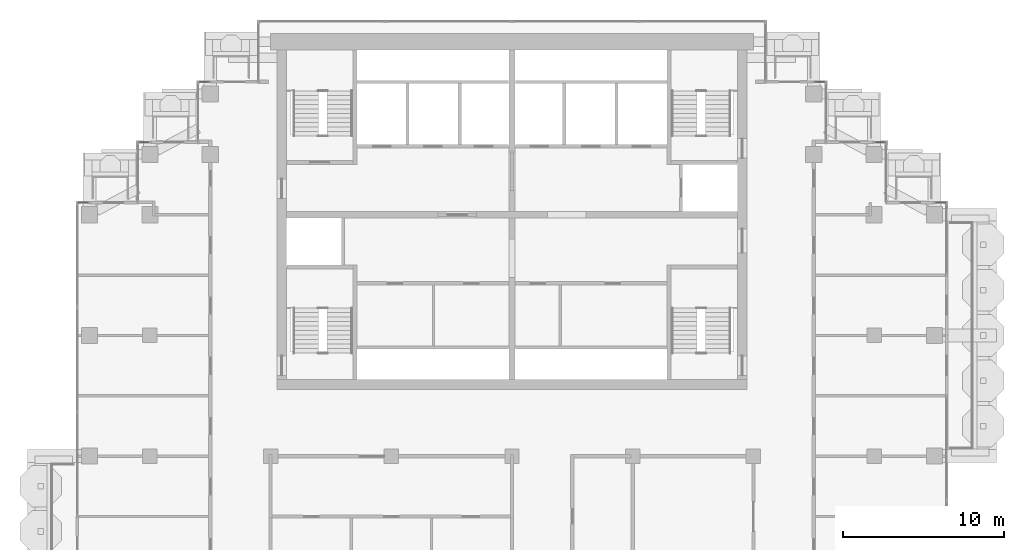
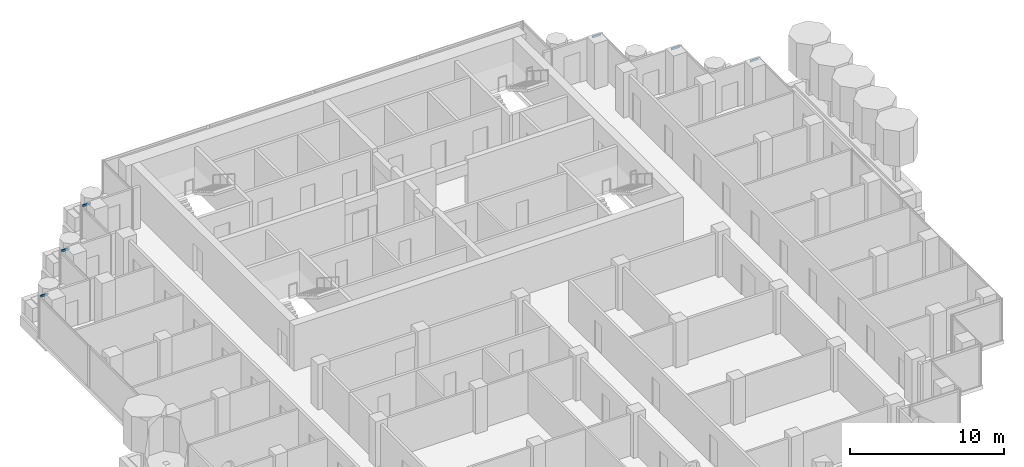
# One storey, part 7 of 19: 6 members, 6 elements without a shape of their own.
"""IFC4 building model written with IfcOpenShell, lengths in metres."""

import ifcopenshell
import ifcopenshell.guid

model = None  # the IFC model being written
_history = None  # IfcOwnerHistory: only IFC2X3 demands one
_inside = {}  # id of a spatial element -> (the spatial element, [elements in it])
_under = {}  # id of a project, library or spatial element -> (it, [spatial elements below it])
_declared = {}  # id of a project -> (the project, [libraries it declares])
_typed = {}  # id of a type object -> (the type object, [elements of that type])
_made_of = {}  # id of a material, layer set ... -> (it, [elements and type objects made of it])


def new_model(schema):
    """Start an empty IFC model of exactly this schema.

    Asked for "IFC4X3", IfcOpenShell would pick the latest addendum, in which some entities
    have other attributes; the version numbers below select the first issue.
    IFC2X3 requires an IfcOwnerHistory on every rooted entity: one is made here for all.
    """
    global model, _history
    if schema == "IFC4X3":
        model = ifcopenshell.file(schema_version=(4, 3, 0, 0))
    else:
        model = ifcopenshell.file(schema=schema)
    _inside.clear()
    _under.clear()
    _declared.clear()
    _typed.clear()
    _made_of.clear()
    _history = None
    if model.schema == "IFC2X3":
        org = make("IfcOrganization", Name="unknown")
        user = make(
            "IfcPersonAndOrganization",
            ThePerson=make("IfcPerson", FamilyName="unknown"),
            TheOrganization=org,
        )
        app = make(
            "IfcApplication",
            ApplicationDeveloper=org,
            Version="unknown",
            ApplicationFullName="unknown",
            ApplicationIdentifier="unknown",
        )
        _history = make(
            "IfcOwnerHistory",
            OwningUser=user,
            OwningApplication=app,
            ChangeAction="ADDED",
            CreationDate=0,
        )
    return model


def make(cls, **values):
    """One entity of the class cls with the attributes given. An attribute that is None is left unset."""
    return model.create_entity(
        cls, **{name: value for name, value in values.items() if value is not None}
    )


def rooted(cls, **values):
    """An entity with a GlobalId (a new one), such as an element, a storey or a relation."""
    return make(cls, GlobalId=ifcopenshell.guid.new(), OwnerHistory=_history, **values)


def si_unit(unit_type, name, prefix=None):
    """IfcSIUnit, for example si_unit("LENGTHUNIT", "METRE", prefix="MILLI")."""
    return make("IfcSIUnit", UnitType=unit_type, Prefix=prefix, Name=name)


def assignment(units):
    """IfcUnitAssignment: the units of a project."""
    return None if units is None else make("IfcUnitAssignment", Units=units)


def point(xyz):
    """IfcCartesianPoint."""
    return None if xyz is None else make("IfcCartesianPoint", Coordinates=xyz)


def direction(xyz):
    """IfcDirection."""
    return None if xyz is None else make("IfcDirection", DirectionRatios=xyz)


def frame(location, z_axis=None, x_axis=None):
    """IfcAxis2Placement3D, a coordinate frame: its origin and axes. An axis left out is left unset."""
    return make(
        "IfcAxis2Placement3D",
        Location=point(location),
        Axis=direction(z_axis),
        RefDirection=direction(x_axis),
    )


def frame_2d(location, x_axis=None):
    """IfcAxis2Placement2D, a coordinate frame in the plane: its origin and x axis."""
    return make(
        "IfcAxis2Placement2D", Location=point(location), RefDirection=direction(x_axis)
    )


def origin():
    """The frame at (0, 0, 0) with its axes left unset."""
    return frame((0.0, 0.0, 0.0))


def origin_2d():
    """The frame at (0, 0) in the plane with its x axis left unset."""
    return frame_2d((0.0, 0.0))


def place(relative_to, where):
    """IfcLocalPlacement: puts the frame where relative to a parent placement (None: the world)."""
    return make(
        "IfcLocalPlacement", PlacementRelTo=relative_to, RelativePlacement=where
    )


def context(
    kind, dimensions, precision=None, world=None, true_north=None, identifier=None
):
    """IfcGeometricRepresentationContext, for example the 3D "Model" context."""
    return make(
        "IfcGeometricRepresentationContext",
        ContextIdentifier=identifier,
        ContextType=kind,
        CoordinateSpaceDimension=dimensions,
        Precision=precision,
        WorldCoordinateSystem=world,
        TrueNorth=true_north,
    )


def subcontext(parent, identifier, kind, view, scale=None):
    """IfcGeometricRepresentationSubContext, for example "Body" below "Model"."""
    return make(
        "IfcGeometricRepresentationSubContext",
        ContextIdentifier=identifier,
        ContextType=kind,
        ParentContext=parent,
        TargetScale=scale,
        TargetView=view,
    )


def project(units=None, contexts=None):
    """IfcProject with its units and contexts."""
    return rooted(
        "IfcProject",
        Name="project",
        RepresentationContexts=contexts,
        UnitsInContext=assignment(units),
    )


def spatial(cls, under=None, at=None, **own):
    """A site, building, storey or space (cls), placed at a placement, below another one or the project."""
    s = rooted(cls, ObjectPlacement=at, **own)
    if under is not None:
        _under.setdefault(under.id(), (under, []))[1].append(s)
    return s


def profile(cls, at=None, kind="AREA", **sizes):
    """A parametric profile (cls). Its sizes go by their IFC names, for example OverallWidth=200.0."""
    return make(cls, ProfileType=kind, Position=at, **sizes)


def rectangle(**sizes):
    """IfcRectangleProfileDef."""
    return profile("IfcRectangleProfileDef", **sizes)


def extrude(swept, where, along, depth):
    """IfcExtrudedAreaSolid: the profile swept, set in the frame where, extruded along a direction by depth."""
    return make(
        "IfcExtrudedAreaSolid",
        SweptArea=swept,
        Position=where,
        ExtrudedDirection=direction(along),
        Depth=depth,
    )


def shape(context_of_items, identifier, shape_type, items):
    """IfcShapeRepresentation: the items that make up one representation, for example the "Body"."""
    return make(
        "IfcShapeRepresentation",
        ContextOfItems=context_of_items,
        RepresentationIdentifier=identifier,
        RepresentationType=shape_type,
        Items=items,
    )


def material(Name=None, Category=None):
    """IfcMaterial."""
    return make("IfcMaterial", Name=Name, Category=Category)


def material_profile(
    of_material, cross_section, Name=None, Category=None, Priority=None
):
    """IfcMaterialProfile: a cross section and its material."""
    return make(
        "IfcMaterialProfile",
        Name=Name,
        Material=of_material,
        Profile=cross_section,
        Priority=Priority,
        Category=Category,
    )


def profile_set(profiles, Name=None, composite=None):
    """IfcMaterialProfileSet."""
    return make(
        "IfcMaterialProfileSet",
        Name=Name,
        MaterialProfiles=profiles,
        CompositeProfile=composite,
    )


def made_of(thing, what):
    """Note that an element or type object is made of a material, layer set ...; save() writes the relation."""
    if what is not None:
        _made_of.setdefault(what.id(), (what, []))[1].append(thing)
    return thing


def type_object(cls, material=None, **own):
    """A type object (cls), such as IfcWallType, which elements share."""
    return made_of(rooted(cls, **own), material)


def element(
    cls,
    number,
    at=None,
    inside=None,
    cuts=None,
    type_object=None,
    material=None,
    context=None,
    identifier="Body",
    shape_type=None,
    held_by="IfcProductDefinitionShape",
    body=None,
    shapes=None,
    **own,
):
    """One element of the class cls, such as IfcWall. Its Tag is "e" and its number.

    at: its placement. inside: the storey or other place that contains it. cuts: it is an
    opening in that element (IfcRelVoidsElement). A single representation is given by context,
    identifier, shape_type and body (its items); several are given by shapes. held_by: the class
    of the entity that holds the representations. save() writes the other relations.
    """
    e = rooted(cls, Tag="e%d" % number, ObjectPlacement=at, **own)
    if body is not None:
        shapes = [shape(context, identifier, shape_type, body)]
    if shapes is not None:
        e.Representation = make(held_by, Representations=shapes)
    if inside is not None:
        _inside.setdefault(inside.id(), (inside, []))[1].append(e)
    if cuts is not None:
        rooted(
            "IfcRelVoidsElement", RelatingBuildingElement=cuts, RelatedOpeningElement=e
        )
    if type_object is not None:
        _typed.setdefault(type_object.id(), (type_object, []))[1].append(e)
    return made_of(e, material)


def aggregate(whole, parts):
    """IfcRelAggregates: a whole, such as a stair, and the parts it consists of."""
    return rooted("IfcRelAggregates", RelatingObject=whole, RelatedObjects=parts)


def save(model, path):
    """Write the relations noted so far, then the file.

    IfcRelAggregates (storeys below a building ...), IfcRelContainedInSpatialStructure (elements
    in a storey), IfcRelDefinesByType, IfcRelAssociatesMaterial and IfcRelDeclares: one each for
    every whole, place, type object, material and project.
    """
    for whole, parts in _under.values():
        aggregate(whole, parts)
    for where, things in _inside.values():
        rooted(
            "IfcRelContainedInSpatialStructure",
            RelatedElements=things,
            RelatingStructure=where,
        )
    for kind, things in _typed.values():
        rooted("IfcRelDefinesByType", RelatedObjects=things, RelatingType=kind)
    for what, things in _made_of.values():
        rooted("IfcRelAssociatesMaterial", RelatedObjects=things, RelatingMaterial=what)
    for by, libraries in _declared.values():
        rooted("IfcRelDeclares", RelatingContext=by, RelatedDefinitions=libraries)
    model.write(path)


model = new_model("IFC4")

# Units and contexts
model_context = context("Model", 3, precision=1e-05, world=origin(), true_north=direction((0.0, 1.0)))
body_context = subcontext(model_context, "Body", "Model", "MODEL_VIEW")
ifc_project = project(units=[si_unit("LENGTHUNIT", "METRE"), si_unit("AREAUNIT", "SQUARE_METRE"), si_unit("VOLUMEUNIT", "CUBIC_METRE"), si_unit("PLANEANGLEUNIT", "RADIAN"), si_unit("MASSUNIT", "GRAM", prefix="KILO")], contexts=[model_context])

# Site, building, storey
site_placement = place(None, origin())
site = spatial("IfcSite", under=ifc_project, at=site_placement, CompositionType="ELEMENT")
building_placement = place(site_placement, origin())
building = spatial("IfcBuilding", under=site, at=building_placement, Name="Pilkhan Gate Tower", CompositionType="ELEMENT")
storey_placement = place(building_placement, frame((0.0, 0.0, 224.699951171875)))
storey = spatial("IfcBuildingStorey", under=building, at=storey_placement, Name="L58", CompositionType="ELEMENT", Elevation=224.699951171875)

# Curtain wall, member
ifc_material_1 = material(Name="Pale anodised aluminium, clear low-iron double glazing", Category="aluminium")
curtain_wall_type = type_object("IfcCurtainWallType", Name="Office unitised curtain wall CW-O2", PredefinedType="USERDEFINED", material=ifc_material_1)
curtain_wall_1_placement = place(storey_placement, origin())
curtain_wall_1 = element("IfcCurtainWall", 1, at=curtain_wall_1_placement, inside=storey, type_object=curtain_wall_type, Name="Office unitised curtain wall CW-O2 L58 N", ObjectType="UNITISED CURTAIN WALL", PredefinedType="USERDEFINED")
ifc_material_2 = material(Name="Pale anodised aluminium", Category="aluminium")
ifc_material_profile = material_profile(ifc_material_2, rectangle(XDim=0.06494140625, YDim=0.1650390625, at=origin_2d()), Name="Transom 165x65")
ifc_profile_set = profile_set([ifc_material_profile], Name="Pale anodised aluminium")
member_type = type_object("IfcMemberType", Name="Transom CW-O2 165x65", PredefinedType="USERDEFINED", material=ifc_profile_set)
member_1_placement = place(storey_placement, frame((101.31494140625, 83.25, 3.217529296875), z_axis=(1.0, 0.0, 0.0), x_axis=(0.0, 1.0, 0.0)))
member_1 = element("IfcMember", 2, at=member_1_placement, type_object=member_type, Name="CW-O2 transom 1", ObjectType="TRANSOM", PredefinedType="USERDEFINED", context=body_context, shape_type="SweptSolid", body=[
    extrude(rectangle(XDim=0.06494140625, YDim=0.1650390625, at=origin_2d()), origin(), (0.0, 0.0, 1.0), 0.6201171875),
])
aggregate(curtain_wall_1, [member_1])

curtain_wall_2_placement = place(storey_placement, origin())
curtain_wall_2 = element("IfcCurtainWall", 3, at=curtain_wall_2_placement, inside=storey, type_object=curtain_wall_type, Name="Office unitised curtain wall CW-O2 L58 N", ObjectType="UNITISED CURTAIN WALL", PredefinedType="USERDEFINED")
member_2_placement = place(storey_placement, frame((97.56494140625, 87.0, 3.217529296875), z_axis=(1.0, 0.0, 0.0), x_axis=(0.0, 1.0, 0.0)))
member_2 = element("IfcMember", 4, at=member_2_placement, type_object=member_type, Name="CW-O2 transom 1", ObjectType="TRANSOM", PredefinedType="USERDEFINED", context=body_context, shape_type="SweptSolid", body=[
    extrude(rectangle(XDim=0.06494140625, YDim=0.1650390625, at=origin_2d()), origin(), (0.0, 0.0, 1.0), 0.6201171875),
])
aggregate(curtain_wall_2, [member_2])

curtain_wall_3_placement = place(storey_placement, origin())
curtain_wall_3 = element("IfcCurtainWall", 5, at=curtain_wall_3_placement, inside=storey, type_object=curtain_wall_type, Name="Office unitised curtain wall CW-O2 L58 N", ObjectType="UNITISED CURTAIN WALL", PredefinedType="USERDEFINED")
member_3_placement = place(storey_placement, frame((93.81494140625, 90.75, 3.217529296875), z_axis=(1.0, 0.0, 0.0), x_axis=(0.0, 1.0, 0.0)))
member_3 = element("IfcMember", 6, at=member_3_placement, type_object=member_type, Name="CW-O2 transom 1", ObjectType="TRANSOM", PredefinedType="USERDEFINED", context=body_context, shape_type="SweptSolid", body=[
    extrude(rectangle(XDim=0.06494140625, YDim=0.1650390625, at=origin_2d()), origin(), (0.0, 0.0, 1.0), 0.6201171875),
])
aggregate(curtain_wall_3, [member_3])

curtain_wall_4_placement = place(storey_placement, origin())
curtain_wall_4 = element("IfcCurtainWall", 7, at=curtain_wall_4_placement, inside=storey, type_object=curtain_wall_type, Name="Office unitised curtain wall CW-O2 L58 N", ObjectType="UNITISED CURTAIN WALL", PredefinedType="USERDEFINED")
member_4_placement = place(storey_placement, frame((55.56494140625, 90.75, 3.217529296875), z_axis=(1.0, 0.0, 0.0), x_axis=(0.0, 1.0, 0.0)))
member_4 = element("IfcMember", 8, at=member_4_placement, type_object=member_type, Name="CW-O2 transom 1", ObjectType="TRANSOM", PredefinedType="USERDEFINED", context=body_context, shape_type="SweptSolid", body=[
    extrude(rectangle(XDim=0.06494140625, YDim=0.1650390625, at=origin_2d()), origin(), (0.0, 0.0, 1.0), 0.6201171875),
])
aggregate(curtain_wall_4, [member_4])

curtain_wall_5_placement = place(storey_placement, origin())
curtain_wall_5 = element("IfcCurtainWall", 9, at=curtain_wall_5_placement, inside=storey, type_object=curtain_wall_type, Name="Office unitised curtain wall CW-O2 L58 N", ObjectType="UNITISED CURTAIN WALL", PredefinedType="USERDEFINED")
member_5_placement = place(storey_placement, frame((51.81494140625, 87.0, 3.217529296875), z_axis=(1.0, 0.0, 0.0), x_axis=(0.0, 1.0, 0.0)))
member_5 = element("IfcMember", 10, at=member_5_placement, type_object=member_type, Name="CW-O2 transom 1", ObjectType="TRANSOM", PredefinedType="USERDEFINED", context=body_context, shape_type="SweptSolid", body=[
    extrude(rectangle(XDim=0.06494140625, YDim=0.1650390625, at=origin_2d()), origin(), (0.0, 0.0, 1.0), 0.6201171875),
])
aggregate(curtain_wall_5, [member_5])

curtain_wall_6_placement = place(storey_placement, origin())
curtain_wall_6 = element("IfcCurtainWall", 11, at=curtain_wall_6_placement, inside=storey, type_object=curtain_wall_type, Name="Office unitised curtain wall CW-O2 L58 N", ObjectType="UNITISED CURTAIN WALL", PredefinedType="USERDEFINED")
member_6_placement = place(storey_placement, frame((48.06494140625, 83.25, 3.217529296875), z_axis=(1.0, 0.0, 0.0), x_axis=(0.0, 1.0, 0.0)))
member_6 = element("IfcMember", 12, at=member_6_placement, type_object=member_type, Name="CW-O2 transom 1", ObjectType="TRANSOM", PredefinedType="USERDEFINED", context=body_context, shape_type="SweptSolid", body=[
    extrude(rectangle(XDim=0.06494140625, YDim=0.1650390625, at=origin_2d()), origin(), (0.0, 0.0, 1.0), 0.6201171875),
])
aggregate(curtain_wall_6, [member_6])

save(model, "model.ifc")
